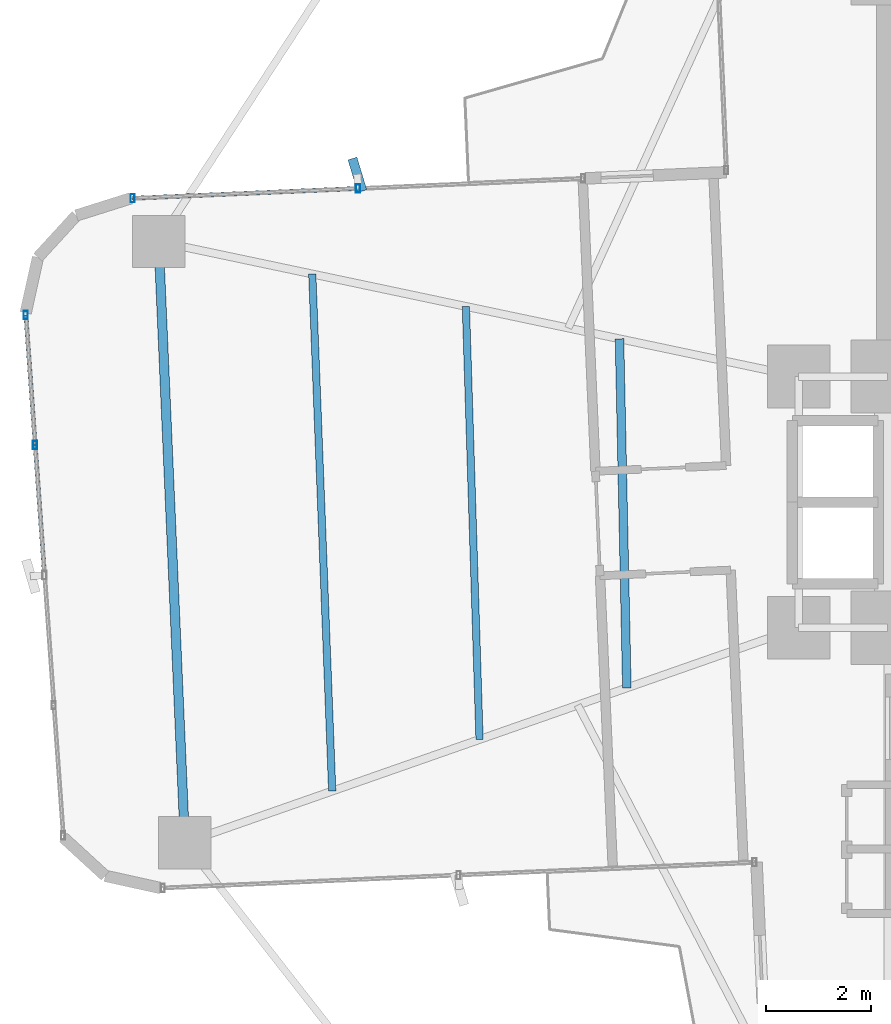
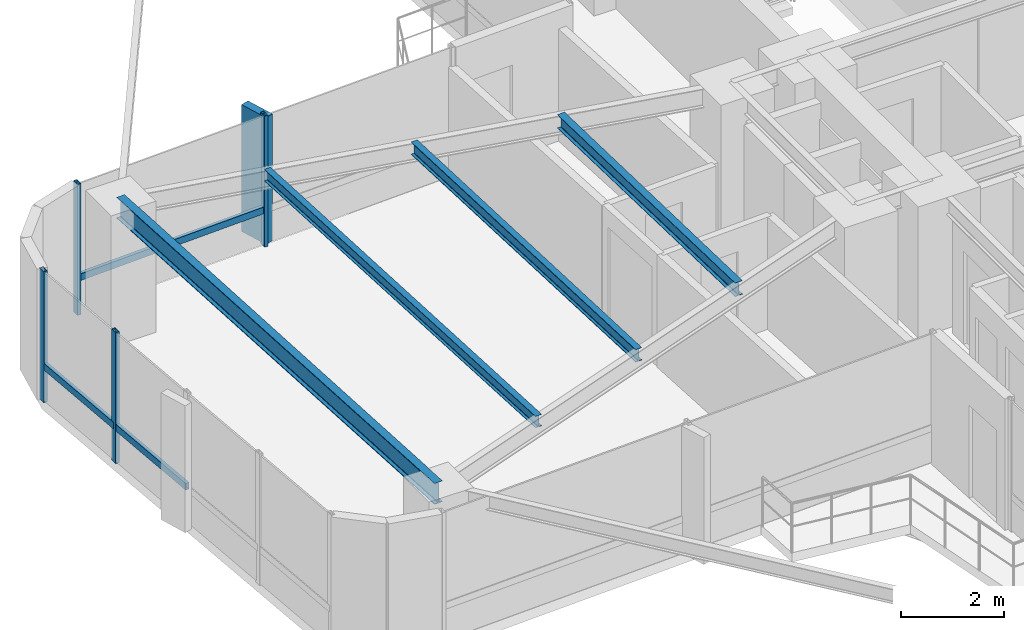
# One storey, part 9 of 26: 8 members, 4 beams, 2 elements without a shape of their own.
"""IFC4 building model written with IfcOpenShell, lengths in metres."""

import ifcopenshell
import ifcopenshell.guid

model = None  # the IFC model being written
_history = None  # IfcOwnerHistory: only IFC2X3 demands one
_inside = {}  # id of a spatial element -> (the spatial element, [elements in it])
_under = {}  # id of a project, library or spatial element -> (it, [spatial elements below it])
_declared = {}  # id of a project -> (the project, [libraries it declares])
_typed = {}  # id of a type object -> (the type object, [elements of that type])
_made_of = {}  # id of a material, layer set ... -> (it, [elements and type objects made of it])


def new_model(schema):
    """Start an empty IFC model of exactly this schema.

    Asked for "IFC4X3", IfcOpenShell would pick the latest addendum, in which some entities
    have other attributes; the version numbers below select the first issue.
    IFC2X3 requires an IfcOwnerHistory on every rooted entity: one is made here for all.
    """
    global model, _history
    if schema == "IFC4X3":
        model = ifcopenshell.file(schema_version=(4, 3, 0, 0))
    else:
        model = ifcopenshell.file(schema=schema)
    _inside.clear()
    _under.clear()
    _declared.clear()
    _typed.clear()
    _made_of.clear()
    _history = None
    if model.schema == "IFC2X3":
        org = make("IfcOrganization", Name="unknown")
        user = make(
            "IfcPersonAndOrganization",
            ThePerson=make("IfcPerson", FamilyName="unknown"),
            TheOrganization=org,
        )
        app = make(
            "IfcApplication",
            ApplicationDeveloper=org,
            Version="unknown",
            ApplicationFullName="unknown",
            ApplicationIdentifier="unknown",
        )
        _history = make(
            "IfcOwnerHistory",
            OwningUser=user,
            OwningApplication=app,
            ChangeAction="ADDED",
            CreationDate=0,
        )
    return model


def make(cls, **values):
    """One entity of the class cls with the attributes given. An attribute that is None is left unset."""
    return model.create_entity(
        cls, **{name: value for name, value in values.items() if value is not None}
    )


def rooted(cls, **values):
    """An entity with a GlobalId (a new one), such as an element, a storey or a relation."""
    return make(cls, GlobalId=ifcopenshell.guid.new(), OwnerHistory=_history, **values)


def si_unit(unit_type, name, prefix=None):
    """IfcSIUnit, for example si_unit("LENGTHUNIT", "METRE", prefix="MILLI")."""
    return make("IfcSIUnit", UnitType=unit_type, Prefix=prefix, Name=name)


def assignment(units):
    """IfcUnitAssignment: the units of a project."""
    return None if units is None else make("IfcUnitAssignment", Units=units)


def point(xyz):
    """IfcCartesianPoint."""
    return None if xyz is None else make("IfcCartesianPoint", Coordinates=xyz)


def direction(xyz):
    """IfcDirection."""
    return None if xyz is None else make("IfcDirection", DirectionRatios=xyz)


def frame(location, z_axis=None, x_axis=None):
    """IfcAxis2Placement3D, a coordinate frame: its origin and axes. An axis left out is left unset."""
    return make(
        "IfcAxis2Placement3D",
        Location=point(location),
        Axis=direction(z_axis),
        RefDirection=direction(x_axis),
    )


def frame_2d(location, x_axis=None):
    """IfcAxis2Placement2D, a coordinate frame in the plane: its origin and x axis."""
    return make(
        "IfcAxis2Placement2D", Location=point(location), RefDirection=direction(x_axis)
    )


def origin():
    """The frame at (0, 0, 0) with its axes left unset."""
    return frame((0.0, 0.0, 0.0))


def origin_2d():
    """The frame at (0, 0) in the plane with its x axis left unset."""
    return frame_2d((0.0, 0.0))


def place(relative_to, where):
    """IfcLocalPlacement: puts the frame where relative to a parent placement (None: the world)."""
    return make(
        "IfcLocalPlacement", PlacementRelTo=relative_to, RelativePlacement=where
    )


def context(
    kind, dimensions, precision=None, world=None, true_north=None, identifier=None
):
    """IfcGeometricRepresentationContext, for example the 3D "Model" context."""
    return make(
        "IfcGeometricRepresentationContext",
        ContextIdentifier=identifier,
        ContextType=kind,
        CoordinateSpaceDimension=dimensions,
        Precision=precision,
        WorldCoordinateSystem=world,
        TrueNorth=true_north,
    )


def subcontext(parent, identifier, kind, view, scale=None):
    """IfcGeometricRepresentationSubContext, for example "Body" below "Model"."""
    return make(
        "IfcGeometricRepresentationSubContext",
        ContextIdentifier=identifier,
        ContextType=kind,
        ParentContext=parent,
        TargetScale=scale,
        TargetView=view,
    )


def project(units=None, contexts=None):
    """IfcProject with its units and contexts."""
    return rooted(
        "IfcProject",
        Name="project",
        RepresentationContexts=contexts,
        UnitsInContext=assignment(units),
    )


def spatial(cls, under=None, at=None, **own):
    """A site, building, storey or space (cls), placed at a placement, below another one or the project."""
    s = rooted(cls, ObjectPlacement=at, **own)
    if under is not None:
        _under.setdefault(under.id(), (under, []))[1].append(s)
    return s


def profile(cls, at=None, kind="AREA", **sizes):
    """A parametric profile (cls). Its sizes go by their IFC names, for example OverallWidth=200.0."""
    return make(cls, ProfileType=kind, Position=at, **sizes)


def rectangle(**sizes):
    """IfcRectangleProfileDef."""
    return profile("IfcRectangleProfileDef", **sizes)


def hollow_rectangle(**sizes):
    """IfcRectangleHollowProfileDef."""
    return profile("IfcRectangleHollowProfileDef", **sizes)


def i_section(**sizes):
    """IfcIShapeProfileDef."""
    return profile("IfcIShapeProfileDef", **sizes)


def extrude(swept, where, along, depth):
    """IfcExtrudedAreaSolid: the profile swept, set in the frame where, extruded along a direction by depth."""
    return make(
        "IfcExtrudedAreaSolid",
        SweptArea=swept,
        Position=where,
        ExtrudedDirection=direction(along),
        Depth=depth,
    )


def shape(context_of_items, identifier, shape_type, items):
    """IfcShapeRepresentation: the items that make up one representation, for example the "Body"."""
    return make(
        "IfcShapeRepresentation",
        ContextOfItems=context_of_items,
        RepresentationIdentifier=identifier,
        RepresentationType=shape_type,
        Items=items,
    )


def source(mapping_origin, context_of_items, identifier, shape_type, items):
    """IfcRepresentationMap: a shape defined once, which mapped items show again and again."""
    return make(
        "IfcRepresentationMap",
        MappingOrigin=mapping_origin,
        MappedRepresentation=shape(context_of_items, identifier, shape_type, items),
    )


def transform(
    local_origin,
    x_axis=None,
    y_axis=None,
    z_axis=None,
    scale=None,
    scale2=None,
    scale3=None,
    uniform=True,
):
    """IfcCartesianTransformationOperator3D, or its non-uniform kind. x_axis, y_axis, z_axis: its Axis1, 2, 3."""
    if uniform:
        return make(
            "IfcCartesianTransformationOperator3D",
            Axis1=direction(x_axis),
            Axis2=direction(y_axis),
            LocalOrigin=point(local_origin),
            Scale=scale,
            Axis3=direction(z_axis),
        )
    return make(
        "IfcCartesianTransformationOperator3DnonUniform",
        Axis1=direction(x_axis),
        Axis2=direction(y_axis),
        LocalOrigin=point(local_origin),
        Scale=scale,
        Axis3=direction(z_axis),
        Scale2=scale2,
        Scale3=scale3,
    )


def mapped(mapping_source, mapping_target):
    """IfcMappedItem: shows the shape of a source again, moved by a transform."""
    return make(
        "IfcMappedItem", MappingSource=mapping_source, MappingTarget=mapping_target
    )


def material(Name=None, Category=None):
    """IfcMaterial."""
    return make("IfcMaterial", Name=Name, Category=Category)


def material_profile(
    of_material, cross_section, Name=None, Category=None, Priority=None
):
    """IfcMaterialProfile: a cross section and its material."""
    return make(
        "IfcMaterialProfile",
        Name=Name,
        Material=of_material,
        Profile=cross_section,
        Priority=Priority,
        Category=Category,
    )


def profile_set(profiles, Name=None, composite=None):
    """IfcMaterialProfileSet."""
    return make(
        "IfcMaterialProfileSet",
        Name=Name,
        MaterialProfiles=profiles,
        CompositeProfile=composite,
    )


def made_of(thing, what):
    """Note that an element or type object is made of a material, layer set ...; save() writes the relation."""
    if what is not None:
        _made_of.setdefault(what.id(), (what, []))[1].append(thing)
    return thing


def type_object(cls, material=None, **own):
    """A type object (cls), such as IfcWallType, which elements share."""
    return made_of(rooted(cls, **own), material)


def element(
    cls,
    number,
    at=None,
    inside=None,
    cuts=None,
    type_object=None,
    material=None,
    context=None,
    identifier="Body",
    shape_type=None,
    held_by="IfcProductDefinitionShape",
    body=None,
    shapes=None,
    **own,
):
    """One element of the class cls, such as IfcWall. Its Tag is "e" and its number.

    at: its placement. inside: the storey or other place that contains it. cuts: it is an
    opening in that element (IfcRelVoidsElement). A single representation is given by context,
    identifier, shape_type and body (its items); several are given by shapes. held_by: the class
    of the entity that holds the representations. save() writes the other relations.
    """
    e = rooted(cls, Tag="e%d" % number, ObjectPlacement=at, **own)
    if body is not None:
        shapes = [shape(context, identifier, shape_type, body)]
    if shapes is not None:
        e.Representation = make(held_by, Representations=shapes)
    if inside is not None:
        _inside.setdefault(inside.id(), (inside, []))[1].append(e)
    if cuts is not None:
        rooted(
            "IfcRelVoidsElement", RelatingBuildingElement=cuts, RelatedOpeningElement=e
        )
    if type_object is not None:
        _typed.setdefault(type_object.id(), (type_object, []))[1].append(e)
    return made_of(e, material)


def aggregate(whole, parts):
    """IfcRelAggregates: a whole, such as a stair, and the parts it consists of."""
    return rooted("IfcRelAggregates", RelatingObject=whole, RelatedObjects=parts)


def save(model, path):
    """Write the relations noted so far, then the file.

    IfcRelAggregates (storeys below a building ...), IfcRelContainedInSpatialStructure (elements
    in a storey), IfcRelDefinesByType, IfcRelAssociatesMaterial and IfcRelDeclares: one each for
    every whole, place, type object, material and project.
    """
    for whole, parts in _under.values():
        aggregate(whole, parts)
    for where, things in _inside.values():
        rooted(
            "IfcRelContainedInSpatialStructure",
            RelatedElements=things,
            RelatingStructure=where,
        )
    for kind, things in _typed.values():
        rooted("IfcRelDefinesByType", RelatedObjects=things, RelatingType=kind)
    for what, things in _made_of.values():
        rooted("IfcRelAssociatesMaterial", RelatedObjects=things, RelatingMaterial=what)
    for by, libraries in _declared.values():
        rooted("IfcRelDeclares", RelatingContext=by, RelatedDefinitions=libraries)
    model.write(path)


model = new_model("IFC4")

# Units and contexts
model_context = context("Model", 3, precision=1e-05, world=origin(), true_north=direction((0.0, 1.0)))
body_context = subcontext(model_context, "Body", "Model", "MODEL_VIEW")
ifc_project = project(units=[si_unit("LENGTHUNIT", "METRE"), si_unit("AREAUNIT", "SQUARE_METRE"), si_unit("VOLUMEUNIT", "CUBIC_METRE"), si_unit("PLANEANGLEUNIT", "RADIAN"), si_unit("MASSUNIT", "GRAM", prefix="KILO")], contexts=[model_context])

# Site, building, storey
site_placement = place(None, origin())
site = spatial("IfcSite", under=ifc_project, at=site_placement, CompositionType="ELEMENT")
building_placement = place(site_placement, origin())
building = spatial("IfcBuilding", under=site, at=building_placement, Name="Sahyath Konkavel Grand Hotel", CompositionType="ELEMENT")
storey_placement = place(building_placement, frame((0.0, 0.0, 118.14990234375)))
storey = spatial("IfcBuildingStorey", under=building, at=storey_placement, Name="L32", CompositionType="ELEMENT", Elevation=118.14990234375)

# Beams
ifc_material_1 = material(Name="Steel E350", Category="steel")
ifc_material_profile_1 = material_profile(ifc_material_1, i_section(OverallWidth=0.179931640625, OverallDepth=0.5, WebThickness=0.01025390625, FlangeThickness=0.01708984375, FilletRadius=0.01708984375, at=origin_2d()), Name="ISMB 500")
ifc_profile_set_1 = profile_set([ifc_material_profile_1], Name="Steel E350")
beam_type_1 = type_object("IfcBeamType", Name="BM-ISMB500", PredefinedType="BEAM", material=ifc_profile_set_1)
shared_shape_1 = source(origin(), body_context, "Body", "SweptSolid", [
    extrude(i_section(OverallWidth=0.179931640625, OverallDepth=0.5, WebThickness=0.01025390625, FlangeThickness=0.01708984375, FilletRadius=0.01708984375, at=origin_2d()), origin(), (0.0, 0.0, 1.0), 11.5),
])
beam_1_placement = place(storey_placement, frame((-17.734130859375, 4.981201171875, 2.860107421875), z_axis=(0.043627008892, -0.99904788879, 0.0), x_axis=(0.99904788879, 0.043627008892, 0.0)))
element("IfcBeam", 1, at=beam_1_placement, inside=storey, type_object=beam_type_1, Name="L32 Wing Tip Edge Beam W", PredefinedType="BEAM", context=body_context, shape_type="MappedRepresentation", body=[
    mapped(shared_shape_1, transform((0.0, 0.0, 0.0), scale=1.0)),
])
ifc_material_profile_2 = material_profile(ifc_material_1, i_section(OverallWidth=0.1650390625, OverallDepth=0.324951171875, WebThickness=0.007080078125, FlangeThickness=0.009765625, FilletRadius=0.014892578125, at=origin_2d()), Name="ISLB 325")
ifc_profile_set_2 = profile_set([ifc_material_profile_2], Name="Steel E350")
beam_type_2 = type_object("IfcBeamType", Name="BM-ISLB325", PredefinedType="BEAM", material=ifc_profile_set_2)
shared_shape_2 = source(origin(), body_context, "Body", "SweptSolid", [
    extrude(i_section(OverallWidth=0.1650390625, OverallDepth=0.324951171875, WebThickness=0.007080078125, FlangeThickness=0.009765625, FilletRadius=0.014892578125, at=origin_2d()), origin(), (0.0, 0.0, 1.0), 6.674560546875),
])
beam_2_placement = place(storey_placement, frame((-8.925537109375, 3.122802734375, 2.947509765625), z_axis=(0.021032188543, -0.999778799058, 0.0), x_axis=(0.999778799058, 0.021032188543, 0.0)))
element("IfcBeam", 2, at=beam_2_placement, inside=storey, type_object=beam_type_2, Name="L32 Secondary Floor Beam W-1", PredefinedType="BEAM", context=body_context, shape_type="MappedRepresentation", body=[
    mapped(shared_shape_2, transform((0.0, 0.0, 0.0), scale=1.0)),
])
ifc_material_profile_3 = material_profile(ifc_material_1, i_section(OverallWidth=0.139892578125, OverallDepth=0.300048828125, WebThickness=0.0078125, FlangeThickness=0.01318359375, FilletRadius=0.013916015625, at=origin_2d()), Name="ISMB 300")
ifc_profile_set_3 = profile_set([ifc_material_profile_3], Name="Steel E350")
beam_type_3 = type_object("IfcBeamType", Name="BM-ISMB300", PredefinedType="BEAM", material=ifc_profile_set_3)
shared_shape_3 = source(origin(), body_context, "Body", "SweptSolid", [
    extrude(i_section(OverallWidth=0.139892578125, OverallDepth=0.300048828125, WebThickness=0.0078125, FlangeThickness=0.01318359375, FilletRadius=0.013916015625, at=origin_2d()), origin(), (0.0, 0.0, 1.0), 8.282470703125),
])
beam_3_placement = place(storey_placement, frame((-11.86181640625, 3.7421875, 2.960205078125), z_axis=(0.031510827707, -0.999503410568, 0.0), x_axis=(0.999503410568, 0.031510827707, 0.0)))
element("IfcBeam", 3, at=beam_3_placement, inside=storey, type_object=beam_type_3, Name="L32 Secondary Floor Beam W-2", PredefinedType="BEAM", context=body_context, shape_type="MappedRepresentation", body=[
    mapped(shared_shape_3, transform((0.0, 0.0, 0.0), scale=1.0)),
])
ifc_material_profile_4 = material_profile(ifc_material_1, i_section(OverallWidth=0.139892578125, OverallDepth=0.27490234375, WebThickness=0.00634765625, FlangeThickness=0.0087890625, FilletRadius=0.012939453125, at=origin_2d()), Name="ISLB 275")
ifc_profile_set_4 = profile_set([ifc_material_profile_4], Name="Steel E350")
beam_type_4 = type_object("IfcBeamType", Name="BM-ISLB275", PredefinedType="BEAM", material=ifc_profile_set_4)
shared_shape_4 = source(origin(), body_context, "Body", "SweptSolid", [
    extrude(i_section(OverallWidth=0.139892578125, OverallDepth=0.27490234375, WebThickness=0.00634765625, FlangeThickness=0.0087890625, FilletRadius=0.012939453125, at=origin_2d()), origin(), (0.0, 0.0, 1.0), 9.89111328125),
])
beam_4_placement = place(storey_placement, frame((-14.798095703125, 4.36181640625, 2.97265625), z_axis=(0.03855445741, -0.999256500511, 0.0), x_axis=(0.999256500511, 0.03855445741, 0.0)))
element("IfcBeam", 4, at=beam_4_placement, inside=storey, type_object=beam_type_4, Name="L32 Secondary Floor Beam W-3", PredefinedType="BEAM", context=body_context, shape_type="MappedRepresentation", body=[
    mapped(shared_shape_4, transform((0.0, 0.0, 0.0), scale=1.0)),
])

# Curtain wall, members
ifc_material_2 = material(Name="Anodised Bronze Aluminium & Low-E Glazing", Category="aluminium")
curtain_wall_type = type_object("IfcCurtainWallType", Name="CW-ZONE2", PredefinedType="NOTDEFINED", material=ifc_material_2)
curtain_wall_1_placement = place(storey_placement, origin())
curtain_wall_1 = element("IfcCurtainWall", 5, at=curtain_wall_1_placement, inside=storey, type_object=curtain_wall_type, Name="L32 Unitised Curtain Wall F16", PredefinedType="NOTDEFINED")
ifc_material_3 = material(Name="Warm Buff Sandstone Cladding on Concrete C50/60", Category="masonry")
ifc_material_profile_5 = material_profile(ifc_material_3, rectangle(XDim=0.179931640625, YDim=0.64990234375, at=origin_2d()), Name="FIN 180x650")
ifc_profile_set_5 = profile_set([ifc_material_profile_5], Name="Warm Buff Sandstone Cladding on Concrete C50/60")
member_type_1 = type_object("IfcMemberType", Name="FIN-SANDSTONE-650", PredefinedType="MULLION", material=ifc_profile_set_5)
shared_shape_5 = source(origin(), body_context, "Body", "SweptSolid", [
    extrude(rectangle(XDim=0.179931640625, YDim=0.64990234375, at=origin_2d()), origin(), (0.0, 0.0, 1.0), 3.010009765625),
])
member_1_placement = place(storey_placement, frame((-13.936279296875, 6.258056640625, 0.050048828125), z_axis=(0.0, 0.0, 1.0), x_axis=(0.957117481996, 0.289700061544, 0.0)))
member_1 = element("IfcMember", 6, at=member_1_placement, type_object=member_type_1, Name="L32 Sandstone Vertical Solar Fin FIN F16-1", PredefinedType="MULLION", context=body_context, shape_type="MappedRepresentation", body=[
    mapped(shared_shape_5, transform((0.0, 0.0, 0.0), scale=1.0)),
])
ifc_material_4 = material(Name="Anodised Bronze Aluminium", Category="aluminium")
ifc_material_profile_6 = material_profile(ifc_material_4, hollow_rectangle(XDim=0.080078125, YDim=0.159912109375, WallThickness=0.006103515625, at=origin_2d()), Name="RHS 160x80x6")
ifc_profile_set_6 = profile_set([ifc_material_profile_6], Name="Anodised Bronze Aluminium")
member_type_2 = type_object("IfcMemberType", Name="CW-MUL-160", PredefinedType="MULLION", material=ifc_profile_set_6)
shared_shape_6 = source(origin(), body_context, "Body", "SweptSolid", [
    extrude(hollow_rectangle(XDim=0.080078125, YDim=0.159912109375, WallThickness=0.006103515625, at=origin_2d()), origin(), (0.0, 0.0, 1.0), 3.110107421875),
])
member_2_placement = place(storey_placement, frame((-13.9248046875, 5.998291015625, 0.0), z_axis=(0.0, 0.0, 1.0), x_axis=(1.0, 0.0, 0.0)))
member_2 = element("IfcMember", 7, at=member_2_placement, type_object=member_type_2, Name="L32 Curtain Wall Mullion F16-1", PredefinedType="MULLION", context=body_context, shape_type="MappedRepresentation", body=[
    mapped(shared_shape_6, transform((0.0, 0.0, 0.0), scale=1.0)),
])
member_3_placement = place(storey_placement, frame((-18.230712890625, 5.810302734375, 0.0), z_axis=(0.0, 0.0, 1.0), x_axis=(1.0, 0.0, 0.0)))
member_3 = element("IfcMember", 8, at=member_3_placement, type_object=member_type_2, Name="L32 Curtain Wall Mullion F16-2", PredefinedType="MULLION", context=body_context, shape_type="MappedRepresentation", body=[
    mapped(shared_shape_6, transform((0.0, 0.0, 0.0), scale=1.0)),
])

curtain_wall_2_placement = place(storey_placement, origin())
curtain_wall_2 = element("IfcCurtainWall", 9, at=curtain_wall_2_placement, inside=storey, type_object=curtain_wall_type, Name="L32 Unitised Curtain Wall F20", PredefinedType="NOTDEFINED")
member_4_placement = place(storey_placement, frame((-20.2744140625, 3.5791015625, 0.0), z_axis=(0.0, 0.0, 1.0), x_axis=(1.0, 0.0, 0.0)))
member_4 = element("IfcMember", 10, at=member_4_placement, type_object=member_type_2, Name="L32 Curtain Wall Mullion F20-0", PredefinedType="MULLION", context=body_context, shape_type="MappedRepresentation", body=[
    mapped(shared_shape_6, transform((0.0, 0.0, 0.0), scale=1.0)),
])
member_5_placement = place(storey_placement, frame((-20.095947265625, 1.092041015625, 0.0), z_axis=(0.0, 0.0, 1.0), x_axis=(1.0, 0.0, 0.0)))
member_5 = element("IfcMember", 11, at=member_5_placement, type_object=member_type_2, Name="L32 Curtain Wall Mullion F20-1", PredefinedType="MULLION", context=body_context, shape_type="MappedRepresentation", body=[
    mapped(shared_shape_6, transform((0.0, 0.0, 0.0), scale=1.0)),
])

# Member
ifc_material_profile_7 = material_profile(ifc_material_4, hollow_rectangle(XDim=0.080078125, YDim=0.159912109375, WallThickness=0.006103515625, at=origin_2d()), Name="RHS 160x80x6")
ifc_profile_set_7 = profile_set([ifc_material_profile_7], Name="Anodised Bronze Aluminium")
member_type_3 = type_object("IfcMemberType", Name="CW-TRN-160", PredefinedType="USERDEFINED", material=ifc_profile_set_7)
shared_shape_7 = source(origin(), body_context, "Body", "SweptSolid", [
    extrude(hollow_rectangle(XDim=0.080078125, YDim=0.159912109375, WallThickness=0.006103515625, at=origin_2d()), origin(), (0.0, 0.0, 1.0), 4.31005859375),
])
member_6_placement = place(storey_placement, frame((-13.9248046875, 5.998291015625, 0.85009765625), z_axis=(-0.999048340188, -0.043616670746, 0.0), x_axis=(0.043616670746, -0.999048340188, 0.0)))
member_6 = element("IfcMember", 12, at=member_6_placement, type_object=member_type_3, Name="L32 Curtain Wall Transom F16-1-spandrel", ObjectType="TRANSOM", PredefinedType="USERDEFINED", context=body_context, shape_type="MappedRepresentation", body=[
    mapped(shared_shape_7, transform((0.0, 0.0, 0.0), scale=1.0)),
])

aggregate(curtain_wall_1, [member_2, member_1, member_3, member_6])

shared_shape_8 = source(origin(), body_context, "Body", "SweptSolid", [
    extrude(hollow_rectangle(XDim=0.080078125, YDim=0.159912109375, WallThickness=0.006103515625, at=origin_2d()), origin(), (0.0, 0.0, 1.0), 2.493408203125),
])
member_7_placement = place(storey_placement, frame((-20.2744140625, 3.5791015625, 0.85009765625), z_axis=(0.071574084062, -0.997435286367, 0.0), x_axis=(0.997435286367, 0.071574084062, 0.0)))
member_7 = element("IfcMember", 13, at=member_7_placement, type_object=member_type_3, Name="L32 Curtain Wall Transom F20-0-spandrel", ObjectType="TRANSOM", PredefinedType="USERDEFINED", context=body_context, shape_type="MappedRepresentation", body=[
    mapped(shared_shape_8, transform((0.0, 0.0, 0.0), scale=1.0)),
])

member_8_placement = place(storey_placement, frame((-20.095947265625, 1.092041015625, 0.85009765625), z_axis=(0.071574084062, -0.997435286367, 0.0), x_axis=(0.997435286367, 0.071574084062, 0.0)))
member_8 = element("IfcMember", 14, at=member_8_placement, type_object=member_type_3, Name="L32 Curtain Wall Transom F20-1-spandrel", ObjectType="TRANSOM", PredefinedType="USERDEFINED", context=body_context, shape_type="MappedRepresentation", body=[
    mapped(shared_shape_8, transform((0.0, 0.0, 0.0), scale=1.0)),
])

aggregate(curtain_wall_2, [member_4, member_5, member_7, member_8])

save(model, "model.ifc")
